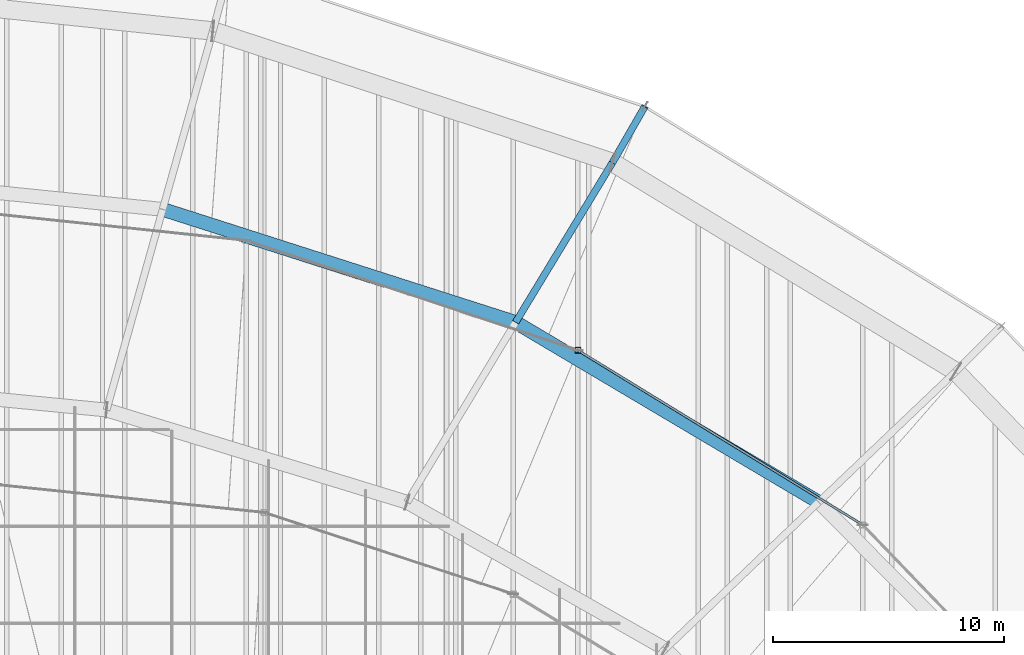
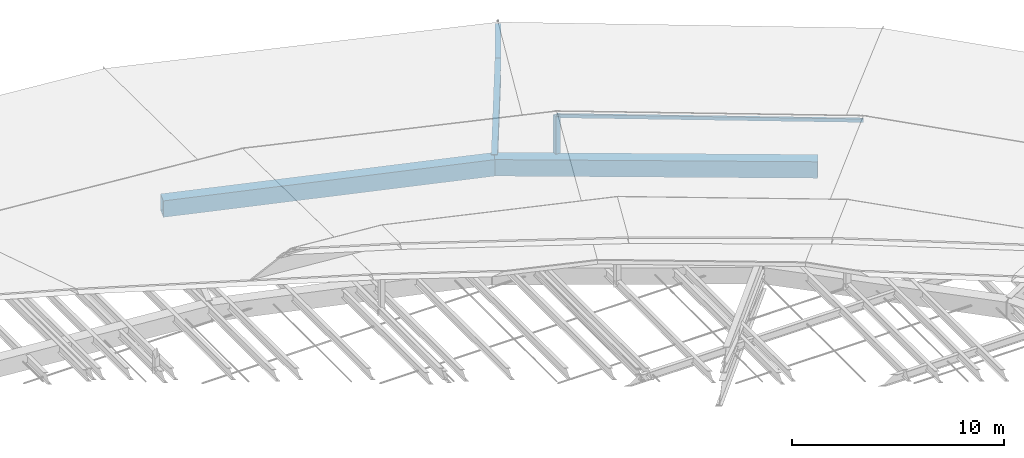
# One storey, part 126 of 184: 3 beams, 3 members.
"""IFC4 building model written with IfcOpenShell, lengths in metres."""

from ifc_helpers import new_model, si_unit, direction, frame, origin, origin_2d, place, context, subcontext, project, spatial, hollow_rectangle, i_section, extrude, material, material_profile, profile_set, type_object, element, save


model = new_model("IFC4")

# Units and contexts
model_context = context("Model", 3, precision=1e-05, world=origin(), true_north=direction((0.0, 1.0)))
body_context = subcontext(model_context, "Body", "Model", "MODEL_VIEW")
ifc_project = project(units=[si_unit("LENGTHUNIT", "METRE"), si_unit("AREAUNIT", "SQUARE_METRE"), si_unit("VOLUMEUNIT", "CUBIC_METRE"), si_unit("PLANEANGLEUNIT", "RADIAN"), si_unit("MASSUNIT", "GRAM", prefix="KILO")], contexts=[model_context])

# Site, building, storey
site_placement = place(None, origin())
site = spatial("IfcSite", under=ifc_project, at=site_placement, CompositionType="ELEMENT")
building_placement = place(site_placement, origin())
building = spatial("IfcBuilding", under=site, at=building_placement, Name="Kalgoora Escarpment Arena", CompositionType="ELEMENT")
storey_placement = place(building_placement, frame((0.0, 0.0, 27.60009765625)))
storey = spatial("IfcBuildingStorey", under=building, at=storey_placement, Name="Roof Level", CompositionType="ELEMENT", Elevation=27.60009765625)

# Beams
ifc_material_1 = material(Name="Structural steel Grade 350 (350 MPa)", Category="steel")
ifc_material_profile_1 = material_profile(ifc_material_1, hollow_rectangle(XDim=0.60009765625, YDim=0.949951171875, WallThickness=0.02490234375, at=origin_2d()))
ifc_profile_set_1 = profile_set([ifc_material_profile_1], Name="Structural steel Grade 350 (350 MPa)")
beam_type_1 = type_object("IfcBeamType", Name="BM-RING-BOX950", PredefinedType="USERDEFINED", material=ifc_profile_set_1)
beam_1_placement = place(storey_placement, frame((137.230712890625, 98.648193359375, -1.35009765625), z_axis=(-0.860118993826, 0.51009343895, 0.0), x_axis=(-0.51009343895, -0.860118993826, 0.0)))
element("IfcBeam", 1, at=beam_1_placement, inside=storey, type_object=beam_type_1, Name="Concourse roof RING BEAM chord 04", ObjectType="GIRDER", PredefinedType="USERDEFINED", context=body_context, shape_type="SweptSolid", body=[
    extrude(hollow_rectangle(XDim=0.60009765625, YDim=0.949951171875, WallThickness=0.02490234375, at=origin_2d()), origin(), (0.0, 0.0, 1.0), 15.26611328125),
])
beam_2_placement = place(storey_placement, frame((124.10009765625, 106.435302734375, -1.35009765625), z_axis=(-0.952389888786, 0.304882763925, 0.0), x_axis=(-0.304882763925, -0.952389888786, 0.0)))
element("IfcBeam", 2, at=beam_2_placement, inside=storey, type_object=beam_type_1, Name="Concourse roof RING BEAM chord 05", ObjectType="GIRDER", PredefinedType="USERDEFINED", context=body_context, shape_type="SweptSolid", body=[
    extrude(hollow_rectangle(XDim=0.60009765625, YDim=0.949951171875, WallThickness=0.02490234375, at=origin_2d()), origin(), (0.0, 0.0, 1.0), 16.055419921875),
])
ifc_material_2 = material(Name="Structural steel Grade 350 (350 MPa)", Category="steel")
ifc_material_profile_2 = material_profile(ifc_material_2, i_section(OverallWidth=0.300048828125, OverallDepth=1.010009765625, WebThickness=0.01611328125, FlangeThickness=0.030029296875, at=origin_2d()))
ifc_profile_set_2 = profile_set([ifc_material_profile_2], Name="Structural steel Grade 350 (350 MPa)")
beam_type_2 = type_object("IfcBeamType", Name="BM-TRUSS-CHORD", PredefinedType="USERDEFINED", material=ifc_profile_set_2)
beam_3_placement = place(storey_placement, frame((128.300048828125, 113.36328125, -1.400146484375), z_axis=(-0.518368338661, -0.855068205906, 0.012354299765), x_axis=(0.85513346736, -0.518407902139, 0.0)))
element("IfcBeam", 3, at=beam_3_placement, inside=storey, type_object=beam_type_2, Name="Outer radial petal support girder R05", ObjectType="GIRDER", PredefinedType="USERDEFINED", context=body_context, shape_type="SweptSolid", body=[
    extrude(i_section(OverallWidth=0.300048828125, OverallDepth=1.010009765625, WebThickness=0.01611328125, FlangeThickness=0.030029296875, at=origin_2d()), origin(), (0.0, 0.0, 1.0), 8.102294921875),
])

# Members
ifc_material_3 = material(Name="Structural steel C450 (450 MPa)", Category="steel")
ifc_material_profile_3 = material_profile(ifc_material_3, hollow_rectangle(XDim=0.25, YDim=0.25, WallThickness=0.012451171875, at=origin_2d()))
ifc_profile_set_3 = profile_set([ifc_material_profile_3], Name="Structural steel C450 (450 MPa)")
member_type_1 = type_object("IfcMemberType", Name="MEM-PETAL-POST", PredefinedType="POST", material=ifc_profile_set_3)
member_1_placement = place(storey_placement, frame((126.800048828125, 105.222900390625, -1.080078125), z_axis=(0.0, 0.0, 1.0), x_axis=(1.0, 0.0, 0.0)))
element("IfcMember", 4, at=member_1_placement, inside=storey, type_object=member_type_1, Name="Petal RP2 vertical support post S05", PredefinedType="POST", context=body_context, shape_type="SweptSolid", body=[
    extrude(hollow_rectangle(XDim=0.25, YDim=0.25, WallThickness=0.012451171875, at=origin_2d()), origin(), (0.0, 0.0, 1.0), 2.344970703125),
])
ifc_material_4 = material(Name="Structural steel C350 (350 MPa)", Category="steel")
ifc_material_profile_4 = material_profile(ifc_material_4, hollow_rectangle(XDim=0.10009765625, YDim=0.199951171875, WallThickness=0.009033203125, at=origin_2d()))
ifc_profile_set_4 = profile_set([ifc_material_profile_4], Name="Structural steel C350 (350 MPa)")
member_type_2 = type_object("IfcMemberType", Name="MEM-PURLIN-RHS", PredefinedType="PURLIN", material=ifc_profile_set_4)
member_2_placement = place(storey_placement, frame((139.1435546875, 97.658203125, 1.244873046875), z_axis=(-0.852622095619, 0.522528049067, 0.0), x_axis=(-0.522528049067, -0.852622095619, 0.0)))
element("IfcMember", 5, at=member_2_placement, inside=storey, type_object=member_type_2, Name="Petal RP2 eave support ring purlin S04", PredefinedType="PURLIN", context=body_context, shape_type="SweptSolid", body=[
    extrude(hollow_rectangle(XDim=0.10009765625, YDim=0.199951171875, WallThickness=0.009033203125, at=origin_2d()), origin(), (0.0, 0.0, 1.0), 14.47705078125),
])
ifc_material_5 = material(Name="Structural steel C450 (450 MPa)", Category="steel")
ifc_material_profile_5 = material_profile(ifc_material_5, hollow_rectangle(XDim=0.300048828125, YDim=0.300048828125, WallThickness=0.012451171875, at=origin_2d()))
ifc_profile_set_5 = profile_set([ifc_material_profile_5], Name="Structural steel C450 (450 MPa)")
member_type_3 = type_object("IfcMemberType", Name="MEM-TRUSS-POST", PredefinedType="POST", material=ifc_profile_set_5)
member_3_placement = place(storey_placement, frame((128.300048828125, 113.36328125, -1.400146484375), z_axis=(0.494918394719, 0.857346427406, 0.141466907734), x_axis=(-0.866056369097, 0.49994636267, 0.0)))
element("IfcMember", 6, at=member_3_placement, inside=storey, type_object=member_type_3, Name="Petal RP1 eave strut S05", PredefinedType="POST", context=body_context, shape_type="SweptSolid", body=[
    extrude(hollow_rectangle(XDim=0.300048828125, YDim=0.300048828125, WallThickness=0.012451171875, at=origin_2d()), origin(), (0.0, 0.0, 1.0), 2.82861328125),
])

save(model, "model.ifc")
